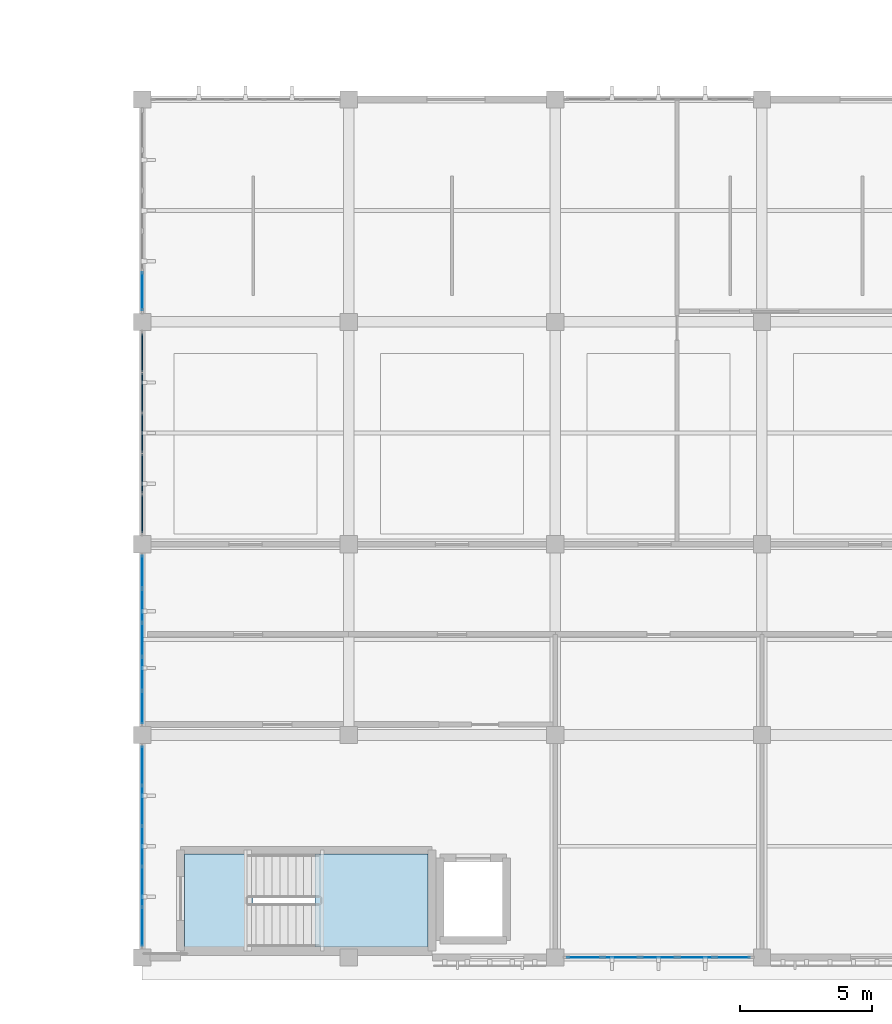
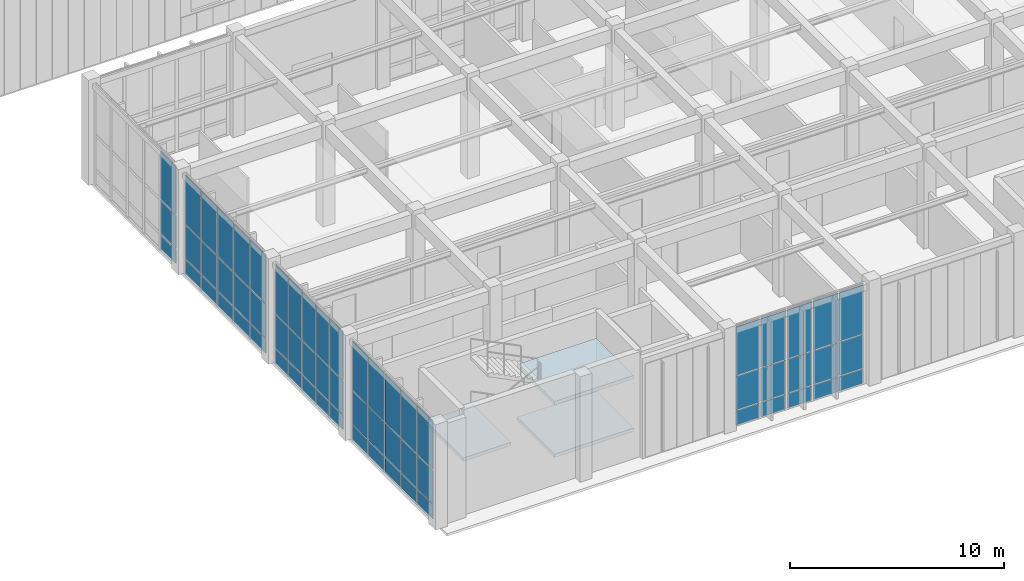
# One storey, part 54 of 105: 63 plates, 3 slabs, 6 elements without a shape of their own.
"""IFC4 building model written with IfcOpenShell, lengths in metres."""

from ifc_helpers import new_model, si_unit, direction, frame, origin, origin_2d, place, context, subcontext, project, spatial, polyline, rectangle, outline, extrude, material, layer, layer_set, type_object, element, aggregate, save


model = new_model("IFC4")

# Units and contexts
model_context = context("Model", 3, precision=1e-05, world=origin(), true_north=direction((0.0, 1.0)))
body_context = subcontext(model_context, "Body", "Model", "MODEL_VIEW")
ifc_project = project(units=[si_unit("LENGTHUNIT", "METRE"), si_unit("AREAUNIT", "SQUARE_METRE"), si_unit("VOLUMEUNIT", "CUBIC_METRE"), si_unit("PLANEANGLEUNIT", "RADIAN"), si_unit("MASSUNIT", "GRAM", prefix="KILO")], contexts=[model_context])

# Site, building, storey
site_placement = place(None, origin())
site = spatial("IfcSite", under=ifc_project, at=site_placement, CompositionType="ELEMENT")
building_placement = place(site_placement, origin())
building = spatial("IfcBuilding", under=site, at=building_placement, Name="Tizgana Railside Sports Hall", CompositionType="ELEMENT")
storey_placement = place(building_placement, frame((0.0, 0.0, 6.0)))
storey = spatial("IfcBuildingStorey", under=building, at=storey_placement, Name="L01", CompositionType="ELEMENT", Elevation=6.0)

# Curtain wall, plates
ifc_material_1 = material(Name="Anodised aluminium and glass", Category="aluminium")
curtain_wall_type_1 = type_object("IfcCurtainWallType", Name="Unitised Curtain Wall Foyer 1300", PredefinedType="NOTDEFINED", material=ifc_material_1)
curtain_wall_1_placement = place(storey_placement, origin())
curtain_wall_1 = element("IfcCurtainWall", 1, at=curtain_wall_1_placement, inside=storey, type_object=curtain_wall_type_1, Name="L01 Curtain Wall CW-0089", PredefinedType="NOTDEFINED")
ifc_material_2 = material(Name="Double low-E laminated glass", Category="glass")
ifc_layer_1 = layer(ifc_material_2, 0.033935546875, Name="Double low-E laminated glass")
ifc_layer_set_1 = layer_set([ifc_layer_1], Name="Double low-E laminated glass")
plate_type_1 = type_object("IfcPlateType", Name="Acoustic Laminated Glazing Panel 34", PredefinedType="CURTAIN_PANEL", material=ifc_layer_set_1)
plate_1_placement = place(storey_placement, frame((30.09716796875, 0.0, 0.05517578125), z_axis=(0.0, 0.0, 1.0), x_axis=(-1.0, 0.0, 0.0)))
plate_1 = element("IfcPlate", 2, at=plate_1_placement, type_object=plate_type_1, Name="CW-02 panel 1.1", PredefinedType="CURTAIN_PANEL", context=body_context, shape_type="SweptSolid", body=[
    extrude(rectangle(XDim=1.29541015625, YDim=0.033935546875, at=origin_2d()), origin(), (0.0, 0.0, 1.0), 0.8173828125),
])
plate_2_placement = place(storey_placement, frame((30.09716796875, 0.0, 0.92724609375), z_axis=(0.0, 0.0, 1.0), x_axis=(-1.0, 0.0, 0.0)))
plate_2 = element("IfcPlate", 3, at=plate_2_placement, type_object=plate_type_1, Name="CW-02 panel 1.2", PredefinedType="CURTAIN_PANEL", context=body_context, shape_type="SweptSolid", body=[
    extrude(rectangle(XDim=1.29541015625, YDim=0.033935546875, at=origin_2d()), origin(), (0.0, 0.0, 1.0), 1.905029296875),
])
plate_3_placement = place(storey_placement, frame((30.09716796875, 0.0, 2.8876953125), z_axis=(0.0, 0.0, 1.0), x_axis=(-1.0, 0.0, 0.0)))
plate_3 = element("IfcPlate", 4, at=plate_3_placement, type_object=plate_type_1, Name="CW-02 panel 1.3", PredefinedType="CURTAIN_PANEL", context=body_context, shape_type="SweptSolid", body=[
    extrude(rectangle(XDim=1.29541015625, YDim=0.033935546875, at=origin_2d()), origin(), (0.0, 0.0, 1.0), 2.777587890625),
])
plate_4_placement = place(storey_placement, frame((28.7080078125, 0.0, 0.05517578125), z_axis=(0.0, 0.0, 1.0), x_axis=(-1.0, 0.0, 0.0)))
plate_4 = element("IfcPlate", 5, at=plate_4_placement, type_object=plate_type_1, Name="CW-02 panel 2.1", PredefinedType="CURTAIN_PANEL", context=body_context, shape_type="SweptSolid", body=[
    extrude(rectangle(XDim=1.3330078125, YDim=0.033935546875, at=origin_2d()), origin(), (0.0, 0.0, 1.0), 0.8173828125),
])
plate_5_placement = place(storey_placement, frame((28.7080078125, 0.0, 0.92724609375), z_axis=(0.0, 0.0, 1.0), x_axis=(-1.0, 0.0, 0.0)))
plate_5 = element("IfcPlate", 6, at=plate_5_placement, type_object=plate_type_1, Name="CW-02 panel 2.2", PredefinedType="CURTAIN_PANEL", context=body_context, shape_type="SweptSolid", body=[
    extrude(rectangle(XDim=1.3330078125, YDim=0.033935546875, at=origin_2d()), origin(), (0.0, 0.0, 1.0), 1.905029296875),
])
plate_6_placement = place(storey_placement, frame((28.7080078125, 0.0, 2.8876953125), z_axis=(0.0, 0.0, 1.0), x_axis=(-1.0, 0.0, 0.0)))
plate_6 = element("IfcPlate", 7, at=plate_6_placement, type_object=plate_type_1, Name="CW-02 panel 2.3", PredefinedType="CURTAIN_PANEL", context=body_context, shape_type="SweptSolid", body=[
    extrude(rectangle(XDim=1.3330078125, YDim=0.033935546875, at=origin_2d()), origin(), (0.0, 0.0, 1.0), 2.777587890625),
])
plate_7_placement = place(storey_placement, frame((27.300048828125, 0.0, 0.05517578125), z_axis=(0.0, 0.0, 1.0), x_axis=(-1.0, 0.0, 0.0)))
plate_7 = element("IfcPlate", 8, at=plate_7_placement, type_object=plate_type_1, Name="CW-02 panel 3.1", PredefinedType="CURTAIN_PANEL", context=body_context, shape_type="SweptSolid", body=[
    extrude(rectangle(XDim=1.3330078125, YDim=0.033935546875, at=origin_2d()), origin(), (0.0, 0.0, 1.0), 0.8173828125),
])
plate_8_placement = place(storey_placement, frame((27.300048828125, 0.0, 0.92724609375), z_axis=(0.0, 0.0, 1.0), x_axis=(-1.0, 0.0, 0.0)))
plate_8 = element("IfcPlate", 9, at=plate_8_placement, type_object=plate_type_1, Name="CW-02 panel 3.2", PredefinedType="CURTAIN_PANEL", context=body_context, shape_type="SweptSolid", body=[
    extrude(rectangle(XDim=1.3330078125, YDim=0.033935546875, at=origin_2d()), origin(), (0.0, 0.0, 1.0), 1.905029296875),
])
plate_9_placement = place(storey_placement, frame((27.300048828125, 0.0, 2.8876953125), z_axis=(0.0, 0.0, 1.0), x_axis=(-1.0, 0.0, 0.0)))
plate_9 = element("IfcPlate", 10, at=plate_9_placement, type_object=plate_type_1, Name="CW-02 panel 3.3", PredefinedType="CURTAIN_PANEL", context=body_context, shape_type="SweptSolid", body=[
    extrude(rectangle(XDim=1.3330078125, YDim=0.033935546875, at=origin_2d()), origin(), (0.0, 0.0, 1.0), 2.777587890625),
])
plate_10_placement = place(storey_placement, frame((25.89208984375, 0.0, 0.05517578125), z_axis=(0.0, 0.0, 1.0), x_axis=(-1.0, 0.0, 0.0)))
plate_10 = element("IfcPlate", 11, at=plate_10_placement, type_object=plate_type_1, Name="CW-02 panel 4.1", PredefinedType="CURTAIN_PANEL", context=body_context, shape_type="SweptSolid", body=[
    extrude(rectangle(XDim=1.3330078125, YDim=0.033935546875, at=origin_2d()), origin(), (0.0, 0.0, 1.0), 0.8173828125),
])
plate_11_placement = place(storey_placement, frame((25.89208984375, 0.0, 0.92724609375), z_axis=(0.0, 0.0, 1.0), x_axis=(-1.0, 0.0, 0.0)))
plate_11 = element("IfcPlate", 12, at=plate_11_placement, type_object=plate_type_1, Name="CW-02 panel 4.2", PredefinedType="CURTAIN_PANEL", context=body_context, shape_type="SweptSolid", body=[
    extrude(rectangle(XDim=1.3330078125, YDim=0.033935546875, at=origin_2d()), origin(), (0.0, 0.0, 1.0), 1.905029296875),
])
plate_12_placement = place(storey_placement, frame((25.89208984375, 0.0, 2.8876953125), z_axis=(0.0, 0.0, 1.0), x_axis=(-1.0, 0.0, 0.0)))
plate_12 = element("IfcPlate", 13, at=plate_12_placement, type_object=plate_type_1, Name="CW-02 panel 4.3", PredefinedType="CURTAIN_PANEL", context=body_context, shape_type="SweptSolid", body=[
    extrude(rectangle(XDim=1.3330078125, YDim=0.033935546875, at=origin_2d()), origin(), (0.0, 0.0, 1.0), 2.777587890625),
])
plate_13_placement = place(storey_placement, frame((24.502685546875, 0.0, 0.05517578125), z_axis=(0.0, 0.0, 1.0), x_axis=(-1.0, 0.0, 0.0)))
plate_13 = element("IfcPlate", 14, at=plate_13_placement, type_object=plate_type_1, Name="CW-02 panel 5.1", PredefinedType="CURTAIN_PANEL", context=body_context, shape_type="SweptSolid", body=[
    extrude(rectangle(XDim=1.29541015625, YDim=0.033935546875, at=origin_2d()), origin(), (0.0, 0.0, 1.0), 0.8173828125),
])
plate_14_placement = place(storey_placement, frame((24.502685546875, 0.0, 0.92724609375), z_axis=(0.0, 0.0, 1.0), x_axis=(-1.0, 0.0, 0.0)))
plate_14 = element("IfcPlate", 15, at=plate_14_placement, type_object=plate_type_1, Name="CW-02 panel 5.2", PredefinedType="CURTAIN_PANEL", context=body_context, shape_type="SweptSolid", body=[
    extrude(rectangle(XDim=1.29541015625, YDim=0.033935546875, at=origin_2d()), origin(), (0.0, 0.0, 1.0), 1.905029296875),
])
plate_15_placement = place(storey_placement, frame((24.502685546875, 0.0, 2.8876953125), z_axis=(0.0, 0.0, 1.0), x_axis=(-1.0, 0.0, 0.0)))
plate_15 = element("IfcPlate", 16, at=plate_15_placement, type_object=plate_type_1, Name="CW-02 panel 5.3", PredefinedType="CURTAIN_PANEL", context=body_context, shape_type="SweptSolid", body=[
    extrude(rectangle(XDim=1.29541015625, YDim=0.033935546875, at=origin_2d()), origin(), (0.0, 0.0, 1.0), 2.777587890625),
])
aggregate(curtain_wall_1, [plate_1, plate_2, plate_3, plate_4, plate_5, plate_6, plate_7, plate_8, plate_9, plate_10, plate_11, plate_12, plate_13, plate_14, plate_15])

curtain_wall_2_placement = place(storey_placement, origin())
curtain_wall_2 = element("IfcCurtainWall", 17, at=curtain_wall_2_placement, inside=storey, type_object=curtain_wall_type_1, Name="L01 Curtain Wall CW-0097", PredefinedType="NOTDEFINED")
plate_16_placement = place(storey_placement, frame((7.800048828125, 14.56103515625, 0.06005859375), z_axis=(0.0, 0.0, 1.0), x_axis=(0.0, -1.0, 0.0)))
plate_16 = element("IfcPlate", 18, at=plate_16_placement, type_object=plate_type_1, Name="CW-02 panel 1.1", PredefinedType="CURTAIN_PANEL", context=body_context, shape_type="SweptSolid", body=[
    extrude(rectangle(XDim=1.197998046875, YDim=0.033935546875, at=origin_2d()), origin(), (0.0, 0.0, 1.0), 0.81005859375),
])
plate_17_placement = place(storey_placement, frame((7.800048828125, 14.56103515625, 0.929931640625), z_axis=(0.0, 0.0, 1.0), x_axis=(0.0, -1.0, 0.0)))
plate_17 = element("IfcPlate", 19, at=plate_17_placement, type_object=plate_type_1, Name="CW-02 panel 1.2", PredefinedType="CURTAIN_PANEL", context=body_context, shape_type="SweptSolid", body=[
    extrude(rectangle(XDim=1.197998046875, YDim=0.033935546875, at=origin_2d()), origin(), (0.0, 0.0, 1.0), 1.89990234375),
])
plate_18_placement = place(storey_placement, frame((7.800048828125, 14.56103515625, 2.889892578125), z_axis=(0.0, 0.0, 1.0), x_axis=(0.0, -1.0, 0.0)))
plate_18 = element("IfcPlate", 20, at=plate_18_placement, type_object=plate_type_1, Name="CW-02 panel 1.3", PredefinedType="CURTAIN_PANEL", context=body_context, shape_type="SweptSolid", body=[
    extrude(rectangle(XDim=1.197998046875, YDim=0.033935546875, at=origin_2d()), origin(), (0.0, 0.0, 1.0), 2.77001953125),
])
plate_19_placement = place(storey_placement, frame((7.800048828125, 13.2880859375, 0.06005859375), z_axis=(0.0, 0.0, 1.0), x_axis=(0.0, -1.0, 0.0)))
plate_19 = element("IfcPlate", 21, at=plate_19_placement, type_object=plate_type_1, Name="CW-02 panel 2.1", PredefinedType="CURTAIN_PANEL", context=body_context, shape_type="SweptSolid", body=[
    extrude(rectangle(XDim=1.22802734375, YDim=0.033935546875, at=origin_2d()), origin(), (0.0, 0.0, 1.0), 0.81005859375),
])
plate_20_placement = place(storey_placement, frame((7.800048828125, 13.2880859375, 0.929931640625), z_axis=(0.0, 0.0, 1.0), x_axis=(0.0, -1.0, 0.0)))
plate_20 = element("IfcPlate", 22, at=plate_20_placement, type_object=plate_type_1, Name="CW-02 panel 2.2", PredefinedType="CURTAIN_PANEL", context=body_context, shape_type="SweptSolid", body=[
    extrude(rectangle(XDim=1.22802734375, YDim=0.033935546875, at=origin_2d()), origin(), (0.0, 0.0, 1.0), 1.89990234375),
])
plate_21_placement = place(storey_placement, frame((7.800048828125, 13.2880859375, 2.889892578125), z_axis=(0.0, 0.0, 1.0), x_axis=(0.0, -1.0, 0.0)))
plate_21 = element("IfcPlate", 23, at=plate_21_placement, type_object=plate_type_1, Name="CW-02 panel 2.3", PredefinedType="CURTAIN_PANEL", context=body_context, shape_type="SweptSolid", body=[
    extrude(rectangle(XDim=1.22802734375, YDim=0.033935546875, at=origin_2d()), origin(), (0.0, 0.0, 1.0), 2.77001953125),
])
plate_22_placement = place(storey_placement, frame((7.800048828125, 12.0, 0.06005859375), z_axis=(0.0, 0.0, 1.0), x_axis=(0.0, -1.0, 0.0)))
plate_22 = element("IfcPlate", 24, at=plate_22_placement, type_object=plate_type_1, Name="CW-02 panel 3.1", PredefinedType="CURTAIN_PANEL", context=body_context, shape_type="SweptSolid", body=[
    extrude(rectangle(XDim=1.22802734375, YDim=0.033935546875, at=origin_2d()), origin(), (0.0, 0.0, 1.0), 0.81005859375),
])
plate_23_placement = place(storey_placement, frame((7.800048828125, 12.0, 0.929931640625), z_axis=(0.0, 0.0, 1.0), x_axis=(0.0, -1.0, 0.0)))
plate_23 = element("IfcPlate", 25, at=plate_23_placement, type_object=plate_type_1, Name="CW-02 panel 3.2", PredefinedType="CURTAIN_PANEL", context=body_context, shape_type="SweptSolid", body=[
    extrude(rectangle(XDim=1.22802734375, YDim=0.033935546875, at=origin_2d()), origin(), (0.0, 0.0, 1.0), 1.89990234375),
])
plate_24_placement = place(storey_placement, frame((7.800048828125, 12.0, 2.889892578125), z_axis=(0.0, 0.0, 1.0), x_axis=(0.0, -1.0, 0.0)))
plate_24 = element("IfcPlate", 26, at=plate_24_placement, type_object=plate_type_1, Name="CW-02 panel 3.3", PredefinedType="CURTAIN_PANEL", context=body_context, shape_type="SweptSolid", body=[
    extrude(rectangle(XDim=1.22802734375, YDim=0.033935546875, at=origin_2d()), origin(), (0.0, 0.0, 1.0), 2.77001953125),
])
plate_25_placement = place(storey_placement, frame((7.800048828125, 10.7119140625, 0.06005859375), z_axis=(0.0, 0.0, 1.0), x_axis=(0.0, -1.0, 0.0)))
plate_25 = element("IfcPlate", 27, at=plate_25_placement, type_object=plate_type_1, Name="CW-02 panel 4.1", PredefinedType="CURTAIN_PANEL", context=body_context, shape_type="SweptSolid", body=[
    extrude(rectangle(XDim=1.22802734375, YDim=0.033935546875, at=origin_2d()), origin(), (0.0, 0.0, 1.0), 0.81005859375),
])
plate_26_placement = place(storey_placement, frame((7.800048828125, 10.7119140625, 0.929931640625), z_axis=(0.0, 0.0, 1.0), x_axis=(0.0, -1.0, 0.0)))
plate_26 = element("IfcPlate", 28, at=plate_26_placement, type_object=plate_type_1, Name="CW-02 panel 4.2", PredefinedType="CURTAIN_PANEL", context=body_context, shape_type="SweptSolid", body=[
    extrude(rectangle(XDim=1.22802734375, YDim=0.033935546875, at=origin_2d()), origin(), (0.0, 0.0, 1.0), 1.89990234375),
])
plate_27_placement = place(storey_placement, frame((7.800048828125, 10.7119140625, 2.889892578125), z_axis=(0.0, 0.0, 1.0), x_axis=(0.0, -1.0, 0.0)))
plate_27 = element("IfcPlate", 29, at=plate_27_placement, type_object=plate_type_1, Name="CW-02 panel 4.3", PredefinedType="CURTAIN_PANEL", context=body_context, shape_type="SweptSolid", body=[
    extrude(rectangle(XDim=1.22802734375, YDim=0.033935546875, at=origin_2d()), origin(), (0.0, 0.0, 1.0), 2.77001953125),
])
plate_28_placement = place(storey_placement, frame((7.800048828125, 9.43896484375, 0.06005859375), z_axis=(0.0, 0.0, 1.0), x_axis=(0.0, -1.0, 0.0)))
plate_28 = element("IfcPlate", 30, at=plate_28_placement, type_object=plate_type_1, Name="CW-02 panel 5.1", PredefinedType="CURTAIN_PANEL", context=body_context, shape_type="SweptSolid", body=[
    extrude(rectangle(XDim=1.197998046875, YDim=0.033935546875, at=origin_2d()), origin(), (0.0, 0.0, 1.0), 0.81005859375),
])
plate_29_placement = place(storey_placement, frame((7.800048828125, 9.43896484375, 0.929931640625), z_axis=(0.0, 0.0, 1.0), x_axis=(0.0, -1.0, 0.0)))
plate_29 = element("IfcPlate", 31, at=plate_29_placement, type_object=plate_type_1, Name="CW-02 panel 5.2", PredefinedType="CURTAIN_PANEL", context=body_context, shape_type="SweptSolid", body=[
    extrude(rectangle(XDim=1.197998046875, YDim=0.033935546875, at=origin_2d()), origin(), (0.0, 0.0, 1.0), 1.89990234375),
])
plate_30_placement = place(storey_placement, frame((7.800048828125, 9.43896484375, 2.889892578125), z_axis=(0.0, 0.0, 1.0), x_axis=(0.0, -1.0, 0.0)))
plate_30 = element("IfcPlate", 32, at=plate_30_placement, type_object=plate_type_1, Name="CW-02 panel 5.3", PredefinedType="CURTAIN_PANEL", context=body_context, shape_type="SweptSolid", body=[
    extrude(rectangle(XDim=1.197998046875, YDim=0.033935546875, at=origin_2d()), origin(), (0.0, 0.0, 1.0), 2.77001953125),
])
aggregate(curtain_wall_2, [plate_16, plate_17, plate_18, plate_19, plate_20, plate_21, plate_22, plate_23, plate_24, plate_25, plate_26, plate_27, plate_28, plate_29, plate_30])

# Stair, slabs
ifc_material_3 = material(Name="Concrete C35/45", Category="concrete")
stair_type = type_object("IfcStairType", Name="Core Protected Stair 1500", PredefinedType="HALF_TURN_STAIR", material=ifc_material_3)
stair_placement = place(storey_placement, origin())
stair = element("IfcStair", 33, at=stair_placement, inside=storey, type_object=stair_type, Name="L01 Core Stair ST-01", PredefinedType="HALF_TURN_STAIR")
ifc_layer_2 = layer(ifc_material_3, 0.199951171875, Name="Concrete C35/45")
ifc_layer_set_2 = layer_set([ifc_layer_2], Name="Concrete C35/45")
slab_type = type_object("IfcSlabType", Name="Core Stair Landing Slab 200", PredefinedType="LANDING", material=ifc_layer_set_2)
slab_1_placement = place(storey_placement, frame((0.0, 0.0, 1.300048828125)))
slab_1 = element("IfcSlab", 34, at=slab_1_placement, type_object=slab_type, Name="ST-01 landing 1", PredefinedType="LANDING", context=body_context, shape_type="SweptSolid", body=[
    extrude(outline(polyline([(14.320068359375, 0.39990234375), (18.60009765625, 0.39990234375), (18.60009765625, 3.89990234375), (14.320068359375, 3.89990234375), (14.320068359375, 0.39990234375)])), origin(), (0.0, 0.0, 1.0), 0.199951171875),
])
slab_2_placement = place(storey_placement, frame((0.0, 0.0, 2.800048828125)))
slab_2 = element("IfcSlab", 35, at=slab_2_placement, type_object=slab_type, Name="ST-01 landing 2", PredefinedType="LANDING", context=body_context, shape_type="SweptSolid", body=[
    extrude(outline(polyline([(9.39990234375, 0.39990234375), (11.97998046875, 0.39990234375), (11.97998046875, 3.89990234375), (9.39990234375, 3.89990234375), (9.39990234375, 0.39990234375)])), origin(), (0.0, 0.0, 1.0), 0.199951171875),
])
slab_3_placement = place(storey_placement, frame((0.0, 0.0, 4.300048828125)))
slab_3 = element("IfcSlab", 36, at=slab_3_placement, type_object=slab_type, Name="ST-01 landing 3", PredefinedType="LANDING", context=body_context, shape_type="SweptSolid", body=[
    extrude(outline(polyline([(14.320068359375, 0.39990234375), (18.60009765625, 0.39990234375), (18.60009765625, 3.89990234375), (14.320068359375, 3.89990234375), (14.320068359375, 0.39990234375)])), origin(), (0.0, 0.0, 1.0), 0.199951171875),
])
aggregate(stair, [slab_1, slab_2, slab_3])

# Curtain wall, plates
curtain_wall_type_2 = type_object("IfcCurtainWallType", Name="Unitised Curtain Wall Studio 1400", PredefinedType="NOTDEFINED", material=ifc_material_1)
curtain_wall_3_placement = place(storey_placement, origin())
curtain_wall_3 = element("IfcCurtainWall", 37, at=curtain_wall_3_placement, inside=storey, type_object=curtain_wall_type_2, Name="L01 Curtain Wall CW-0098", PredefinedType="NOTDEFINED")
ifc_layer_3 = layer(ifc_material_2, 0.0400390625, Name="Double low-E laminated glass")
ifc_layer_set_3 = layer_set([ifc_layer_3], Name="Double low-E laminated glass")
plate_type_2 = type_object("IfcPlateType", Name="High-Span Tempered Glazing Panel 40", PredefinedType="CURTAIN_PANEL", material=ifc_layer_set_3)
plate_31_placement = place(storey_placement, frame((7.800048828125, 22.841064453125, 0.06005859375), z_axis=(0.0, 0.0, 1.0), x_axis=(0.0, -1.0, 0.0)))
plate_31 = element("IfcPlate", 38, at=plate_31_placement, type_object=plate_type_2, Name="CW-03 panel 1.1", PredefinedType="CURTAIN_PANEL", context=body_context, shape_type="SweptSolid", body=[
    extrude(rectangle(XDim=1.43798828125, YDim=0.0400390625, at=origin_2d()), origin(), (0.0, 0.0, 1.0), 0.81005859375),
])
plate_32_placement = place(storey_placement, frame((7.800048828125, 22.841064453125, 0.929931640625), z_axis=(0.0, 0.0, 1.0), x_axis=(0.0, -1.0, 0.0)))
plate_32 = element("IfcPlate", 39, at=plate_32_placement, type_object=plate_type_2, Name="CW-03 panel 1.2", PredefinedType="CURTAIN_PANEL", context=body_context, shape_type="SweptSolid", body=[
    extrude(rectangle(XDim=1.43798828125, YDim=0.0400390625, at=origin_2d()), origin(), (0.0, 0.0, 1.0), 1.89990234375),
])
plate_33_placement = place(storey_placement, frame((7.800048828125, 22.841064453125, 2.889892578125), z_axis=(0.0, 0.0, 1.0), x_axis=(0.0, -1.0, 0.0)))
plate_33 = element("IfcPlate", 40, at=plate_33_placement, type_object=plate_type_2, Name="CW-03 panel 1.3", PredefinedType="CURTAIN_PANEL", context=body_context, shape_type="SweptSolid", body=[
    extrude(rectangle(XDim=1.43798828125, YDim=0.0400390625, at=origin_2d()), origin(), (0.0, 0.0, 1.0), 2.77001953125),
])
plate_34_placement = place(storey_placement, frame((7.800048828125, 21.327880859375, 0.06005859375), z_axis=(0.0, 0.0, 1.0), x_axis=(0.0, -1.0, 0.0)))
plate_34 = element("IfcPlate", 41, at=plate_34_placement, type_object=plate_type_2, Name="CW-03 panel 2.1", PredefinedType="CURTAIN_PANEL", context=body_context, shape_type="SweptSolid", body=[
    extrude(rectangle(XDim=1.468017578125, YDim=0.0400390625, at=origin_2d()), origin(), (0.0, 0.0, 1.0), 0.81005859375),
])
plate_35_placement = place(storey_placement, frame((7.800048828125, 21.327880859375, 0.929931640625), z_axis=(0.0, 0.0, 1.0), x_axis=(0.0, -1.0, 0.0)))
plate_35 = element("IfcPlate", 42, at=plate_35_placement, type_object=plate_type_2, Name="CW-03 panel 2.2", PredefinedType="CURTAIN_PANEL", context=body_context, shape_type="SweptSolid", body=[
    extrude(rectangle(XDim=1.468017578125, YDim=0.0400390625, at=origin_2d()), origin(), (0.0, 0.0, 1.0), 1.89990234375),
])
plate_36_placement = place(storey_placement, frame((7.800048828125, 21.327880859375, 2.889892578125), z_axis=(0.0, 0.0, 1.0), x_axis=(0.0, -1.0, 0.0)))
plate_36 = element("IfcPlate", 43, at=plate_36_placement, type_object=plate_type_2, Name="CW-03 panel 2.3", PredefinedType="CURTAIN_PANEL", context=body_context, shape_type="SweptSolid", body=[
    extrude(rectangle(XDim=1.468017578125, YDim=0.0400390625, at=origin_2d()), origin(), (0.0, 0.0, 1.0), 2.77001953125),
])
plate_37_placement = place(storey_placement, frame((7.800048828125, 19.800048828125, 0.06005859375), z_axis=(0.0, 0.0, 1.0), x_axis=(0.0, -1.0, 0.0)))
plate_37 = element("IfcPlate", 44, at=plate_37_placement, type_object=plate_type_2, Name="CW-03 panel 3.1", PredefinedType="CURTAIN_PANEL", context=body_context, shape_type="SweptSolid", body=[
    extrude(rectangle(XDim=1.468017578125, YDim=0.0400390625, at=origin_2d()), origin(), (0.0, 0.0, 1.0), 0.81005859375),
])
plate_38_placement = place(storey_placement, frame((7.800048828125, 19.800048828125, 0.929931640625), z_axis=(0.0, 0.0, 1.0), x_axis=(0.0, -1.0, 0.0)))
plate_38 = element("IfcPlate", 45, at=plate_38_placement, type_object=plate_type_2, Name="CW-03 panel 3.2", PredefinedType="CURTAIN_PANEL", context=body_context, shape_type="SweptSolid", body=[
    extrude(rectangle(XDim=1.468017578125, YDim=0.0400390625, at=origin_2d()), origin(), (0.0, 0.0, 1.0), 1.89990234375),
])
plate_39_placement = place(storey_placement, frame((7.800048828125, 19.800048828125, 2.889892578125), z_axis=(0.0, 0.0, 1.0), x_axis=(0.0, -1.0, 0.0)))
plate_39 = element("IfcPlate", 46, at=plate_39_placement, type_object=plate_type_2, Name="CW-03 panel 3.3", PredefinedType="CURTAIN_PANEL", context=body_context, shape_type="SweptSolid", body=[
    extrude(rectangle(XDim=1.468017578125, YDim=0.0400390625, at=origin_2d()), origin(), (0.0, 0.0, 1.0), 2.77001953125),
])
plate_40_placement = place(storey_placement, frame((7.800048828125, 18.27197265625, 0.06005859375), z_axis=(0.0, 0.0, 1.0), x_axis=(0.0, -1.0, 0.0)))
plate_40 = element("IfcPlate", 47, at=plate_40_placement, type_object=plate_type_2, Name="CW-03 panel 4.1", PredefinedType="CURTAIN_PANEL", context=body_context, shape_type="SweptSolid", body=[
    extrude(rectangle(XDim=1.468017578125, YDim=0.0400390625, at=origin_2d()), origin(), (0.0, 0.0, 1.0), 0.81005859375),
])
plate_41_placement = place(storey_placement, frame((7.800048828125, 18.27197265625, 0.929931640625), z_axis=(0.0, 0.0, 1.0), x_axis=(0.0, -1.0, 0.0)))
plate_41 = element("IfcPlate", 48, at=plate_41_placement, type_object=plate_type_2, Name="CW-03 panel 4.2", PredefinedType="CURTAIN_PANEL", context=body_context, shape_type="SweptSolid", body=[
    extrude(rectangle(XDim=1.468017578125, YDim=0.0400390625, at=origin_2d()), origin(), (0.0, 0.0, 1.0), 1.89990234375),
])
plate_42_placement = place(storey_placement, frame((7.800048828125, 18.27197265625, 2.889892578125), z_axis=(0.0, 0.0, 1.0), x_axis=(0.0, -1.0, 0.0)))
plate_42 = element("IfcPlate", 49, at=plate_42_placement, type_object=plate_type_2, Name="CW-03 panel 4.3", PredefinedType="CURTAIN_PANEL", context=body_context, shape_type="SweptSolid", body=[
    extrude(rectangle(XDim=1.468017578125, YDim=0.0400390625, at=origin_2d()), origin(), (0.0, 0.0, 1.0), 2.77001953125),
])
plate_43_placement = place(storey_placement, frame((7.800048828125, 16.759033203125, 0.06005859375), z_axis=(0.0, 0.0, 1.0), x_axis=(0.0, -1.0, 0.0)))
plate_43 = element("IfcPlate", 50, at=plate_43_placement, type_object=plate_type_2, Name="CW-03 panel 5.1", PredefinedType="CURTAIN_PANEL", context=body_context, shape_type="SweptSolid", body=[
    extrude(rectangle(XDim=1.43798828125, YDim=0.0400390625, at=origin_2d()), origin(), (0.0, 0.0, 1.0), 0.81005859375),
])
plate_44_placement = place(storey_placement, frame((7.800048828125, 16.759033203125, 0.929931640625), z_axis=(0.0, 0.0, 1.0), x_axis=(0.0, -1.0, 0.0)))
plate_44 = element("IfcPlate", 51, at=plate_44_placement, type_object=plate_type_2, Name="CW-03 panel 5.2", PredefinedType="CURTAIN_PANEL", context=body_context, shape_type="SweptSolid", body=[
    extrude(rectangle(XDim=1.43798828125, YDim=0.0400390625, at=origin_2d()), origin(), (0.0, 0.0, 1.0), 1.89990234375),
])
plate_45_placement = place(storey_placement, frame((7.800048828125, 16.759033203125, 2.889892578125), z_axis=(0.0, 0.0, 1.0), x_axis=(0.0, -1.0, 0.0)))
plate_45 = element("IfcPlate", 52, at=plate_45_placement, type_object=plate_type_2, Name="CW-03 panel 5.3", PredefinedType="CURTAIN_PANEL", context=body_context, shape_type="SweptSolid", body=[
    extrude(rectangle(XDim=1.43798828125, YDim=0.0400390625, at=origin_2d()), origin(), (0.0, 0.0, 1.0), 2.77001953125),
])
aggregate(curtain_wall_3, [plate_31, plate_32, plate_33, plate_34, plate_35, plate_36, plate_37, plate_38, plate_39, plate_40, plate_41, plate_42, plate_43, plate_44, plate_45])

curtain_wall_type_3 = type_object("IfcCurtainWallType", Name="Unitised Curtain Wall Climbing 1600", PredefinedType="NOTDEFINED", material=ifc_material_1)
curtain_wall_4_placement = place(storey_placement, origin())
curtain_wall_4 = element("IfcCurtainWall", 53, at=curtain_wall_4_placement, inside=storey, type_object=curtain_wall_type_3, Name="L01 Curtain Wall CW-0099", PredefinedType="NOTDEFINED")
ifc_layer_4 = layer(ifc_material_2, 0.031982421875, Name="Double low-E laminated glass")
ifc_layer_set_4 = layer_set([ifc_layer_4], Name="Double low-E laminated glass")
plate_type_3 = type_object("IfcPlateType", Name="North-Light Clerestory Glazing Panel 32", PredefinedType="CURTAIN_PANEL", material=ifc_layer_set_4)
plate_46_placement = place(storey_placement, frame((7.800048828125, 25.16015625, 0.06494140625), z_axis=(0.0, 0.0, 1.0), x_axis=(0.0, -1.0, 0.0)))
plate_46 = element("IfcPlate", 54, at=plate_46_placement, type_object=plate_type_3, Name="CW-04 panel 5.1", PredefinedType="CURTAIN_PANEL", context=body_context, shape_type="SweptSolid", body=[
    extrude(rectangle(XDim=1.430419921875, YDim=0.031982421875, at=origin_2d()), origin(), (0.0, 0.0, 1.0), 0.802490234375),
])
plate_47_placement = place(storey_placement, frame((7.800048828125, 25.16015625, 0.932373046875), z_axis=(0.0, 0.0, 1.0), x_axis=(0.0, -1.0, 0.0)))
plate_47 = element("IfcPlate", 55, at=plate_47_placement, type_object=plate_type_3, Name="CW-04 panel 5.2", PredefinedType="CURTAIN_PANEL", context=body_context, shape_type="SweptSolid", body=[
    extrude(rectangle(XDim=1.430419921875, YDim=0.031982421875, at=origin_2d()), origin(), (0.0, 0.0, 1.0), 1.89501953125),
])
plate_48_placement = place(storey_placement, frame((7.800048828125, 25.16015625, 2.892578125), z_axis=(0.0, 0.0, 1.0), x_axis=(0.0, -1.0, 0.0)))
plate_48 = element("IfcPlate", 56, at=plate_48_placement, type_object=plate_type_3, Name="CW-04 panel 5.3", PredefinedType="CURTAIN_PANEL", context=body_context, shape_type="SweptSolid", body=[
    extrude(rectangle(XDim=1.430419921875, YDim=0.031982421875, at=origin_2d()), origin(), (0.0, 0.0, 1.0), 2.762451171875),
])
aggregate(curtain_wall_4, [plate_46, plate_47, plate_48])

curtain_wall_type_4 = type_object("IfcCurtainWallType", Name="Unitised Curtain Wall Concourse 1500", PredefinedType="NOTDEFINED", material=ifc_material_1)
curtain_wall_5_placement = place(storey_placement, origin())
curtain_wall_5 = element("IfcCurtainWall", 57, at=curtain_wall_5_placement, inside=storey, type_object=curtain_wall_type_4, Name="L01 Curtain Wall CW-0096", PredefinedType="NOTDEFINED")
ifc_layer_5 = layer(ifc_material_2, 0.028076171875, Name="Double low-E laminated glass")
ifc_layer_set_5 = layer_set([ifc_layer_5], Name="Double low-E laminated glass")
plate_type_4 = type_object("IfcPlateType", Name="Solar Low-E Glazing Panel 28", PredefinedType="CURTAIN_PANEL", material=ifc_layer_set_5)
plate_49_placement = place(storey_placement, frame((7.800048828125, 7.240966796875, 0.06005859375), z_axis=(0.0, 0.0, 1.0), x_axis=(0.0, -1.0, 0.0)))
plate_49 = element("IfcPlate", 58, at=plate_49_placement, type_object=plate_type_4, Name="CW-01 panel 1.1", PredefinedType="CURTAIN_PANEL", context=body_context, shape_type="SweptSolid", body=[
    extrude(rectangle(XDim=1.43798828125, YDim=0.028076171875, at=origin_2d()), origin(), (0.0, 0.0, 1.0), 0.81005859375),
])
plate_50_placement = place(storey_placement, frame((7.800048828125, 7.240966796875, 0.929931640625), z_axis=(0.0, 0.0, 1.0), x_axis=(0.0, -1.0, 0.0)))
plate_50 = element("IfcPlate", 59, at=plate_50_placement, type_object=plate_type_4, Name="CW-01 panel 1.2", PredefinedType="CURTAIN_PANEL", context=body_context, shape_type="SweptSolid", body=[
    extrude(rectangle(XDim=1.43798828125, YDim=0.028076171875, at=origin_2d()), origin(), (0.0, 0.0, 1.0), 1.89990234375),
])
plate_51_placement = place(storey_placement, frame((7.800048828125, 7.240966796875, 2.889892578125), z_axis=(0.0, 0.0, 1.0), x_axis=(0.0, -1.0, 0.0)))
plate_51 = element("IfcPlate", 60, at=plate_51_placement, type_object=plate_type_4, Name="CW-01 panel 1.3", PredefinedType="CURTAIN_PANEL", context=body_context, shape_type="SweptSolid", body=[
    extrude(rectangle(XDim=1.43798828125, YDim=0.028076171875, at=origin_2d()), origin(), (0.0, 0.0, 1.0), 2.77001953125),
])
plate_52_placement = place(storey_placement, frame((7.800048828125, 5.72802734375, 0.06005859375), z_axis=(0.0, 0.0, 1.0), x_axis=(0.0, -1.0, 0.0)))
plate_52 = element("IfcPlate", 61, at=plate_52_placement, type_object=plate_type_4, Name="CW-01 panel 2.1", PredefinedType="CURTAIN_PANEL", context=body_context, shape_type="SweptSolid", body=[
    extrude(rectangle(XDim=1.468017578125, YDim=0.028076171875, at=origin_2d()), origin(), (0.0, 0.0, 1.0), 0.81005859375),
])
plate_53_placement = place(storey_placement, frame((7.800048828125, 5.72802734375, 0.929931640625), z_axis=(0.0, 0.0, 1.0), x_axis=(0.0, -1.0, 0.0)))
plate_53 = element("IfcPlate", 62, at=plate_53_placement, type_object=plate_type_4, Name="CW-01 panel 2.2", PredefinedType="CURTAIN_PANEL", context=body_context, shape_type="SweptSolid", body=[
    extrude(rectangle(XDim=1.468017578125, YDim=0.028076171875, at=origin_2d()), origin(), (0.0, 0.0, 1.0), 1.89990234375),
])
plate_54_placement = place(storey_placement, frame((7.800048828125, 5.72802734375, 2.889892578125), z_axis=(0.0, 0.0, 1.0), x_axis=(0.0, -1.0, 0.0)))
plate_54 = element("IfcPlate", 63, at=plate_54_placement, type_object=plate_type_4, Name="CW-01 panel 2.3", PredefinedType="CURTAIN_PANEL", context=body_context, shape_type="SweptSolid", body=[
    extrude(rectangle(XDim=1.468017578125, YDim=0.028076171875, at=origin_2d()), origin(), (0.0, 0.0, 1.0), 2.77001953125),
])
plate_55_placement = place(storey_placement, frame((7.800048828125, 4.199951171875, 0.06005859375), z_axis=(0.0, 0.0, 1.0), x_axis=(0.0, -1.0, 0.0)))
plate_55 = element("IfcPlate", 64, at=plate_55_placement, type_object=plate_type_4, Name="CW-01 panel 3.1", PredefinedType="CURTAIN_PANEL", context=body_context, shape_type="SweptSolid", body=[
    extrude(rectangle(XDim=1.468017578125, YDim=0.028076171875, at=origin_2d()), origin(), (0.0, 0.0, 1.0), 0.81005859375),
])
plate_56_placement = place(storey_placement, frame((7.800048828125, 4.199951171875, 0.929931640625), z_axis=(0.0, 0.0, 1.0), x_axis=(0.0, -1.0, 0.0)))
plate_56 = element("IfcPlate", 65, at=plate_56_placement, type_object=plate_type_4, Name="CW-01 panel 3.2", PredefinedType="CURTAIN_PANEL", context=body_context, shape_type="SweptSolid", body=[
    extrude(rectangle(XDim=1.468017578125, YDim=0.028076171875, at=origin_2d()), origin(), (0.0, 0.0, 1.0), 1.89990234375),
])
plate_57_placement = place(storey_placement, frame((7.800048828125, 4.199951171875, 2.889892578125), z_axis=(0.0, 0.0, 1.0), x_axis=(0.0, -1.0, 0.0)))
plate_57 = element("IfcPlate", 66, at=plate_57_placement, type_object=plate_type_4, Name="CW-01 panel 3.3", PredefinedType="CURTAIN_PANEL", context=body_context, shape_type="SweptSolid", body=[
    extrude(rectangle(XDim=1.468017578125, YDim=0.028076171875, at=origin_2d()), origin(), (0.0, 0.0, 1.0), 2.77001953125),
])
plate_58_placement = place(storey_placement, frame((7.800048828125, 2.672119140625, 0.06005859375), z_axis=(0.0, 0.0, 1.0), x_axis=(0.0, -1.0, 0.0)))
plate_58 = element("IfcPlate", 67, at=plate_58_placement, type_object=plate_type_4, Name="CW-01 panel 4.1", PredefinedType="CURTAIN_PANEL", context=body_context, shape_type="SweptSolid", body=[
    extrude(rectangle(XDim=1.468017578125, YDim=0.028076171875, at=origin_2d()), origin(), (0.0, 0.0, 1.0), 0.81005859375),
])
plate_59_placement = place(storey_placement, frame((7.800048828125, 2.672119140625, 0.929931640625), z_axis=(0.0, 0.0, 1.0), x_axis=(0.0, -1.0, 0.0)))
plate_59 = element("IfcPlate", 68, at=plate_59_placement, type_object=plate_type_4, Name="CW-01 panel 4.2", PredefinedType="CURTAIN_PANEL", context=body_context, shape_type="SweptSolid", body=[
    extrude(rectangle(XDim=1.468017578125, YDim=0.028076171875, at=origin_2d()), origin(), (0.0, 0.0, 1.0), 1.89990234375),
])
plate_60_placement = place(storey_placement, frame((7.800048828125, 2.672119140625, 2.889892578125), z_axis=(0.0, 0.0, 1.0), x_axis=(0.0, -1.0, 0.0)))
plate_60 = element("IfcPlate", 69, at=plate_60_placement, type_object=plate_type_4, Name="CW-01 panel 4.3", PredefinedType="CURTAIN_PANEL", context=body_context, shape_type="SweptSolid", body=[
    extrude(rectangle(XDim=1.468017578125, YDim=0.028076171875, at=origin_2d()), origin(), (0.0, 0.0, 1.0), 2.77001953125),
])
plate_61_placement = place(storey_placement, frame((7.800048828125, 1.158935546875, 0.06005859375), z_axis=(0.0, 0.0, 1.0), x_axis=(0.0, -1.0, 0.0)))
plate_61 = element("IfcPlate", 70, at=plate_61_placement, type_object=plate_type_4, Name="CW-01 panel 5.1", PredefinedType="CURTAIN_PANEL", context=body_context, shape_type="SweptSolid", body=[
    extrude(rectangle(XDim=1.43798828125, YDim=0.028076171875, at=origin_2d()), origin(), (0.0, 0.0, 1.0), 0.81005859375),
])
plate_62_placement = place(storey_placement, frame((7.800048828125, 1.158935546875, 0.929931640625), z_axis=(0.0, 0.0, 1.0), x_axis=(0.0, -1.0, 0.0)))
plate_62 = element("IfcPlate", 71, at=plate_62_placement, type_object=plate_type_4, Name="CW-01 panel 5.2", PredefinedType="CURTAIN_PANEL", context=body_context, shape_type="SweptSolid", body=[
    extrude(rectangle(XDim=1.43798828125, YDim=0.028076171875, at=origin_2d()), origin(), (0.0, 0.0, 1.0), 1.89990234375),
])
plate_63_placement = place(storey_placement, frame((7.800048828125, 1.158935546875, 2.889892578125), z_axis=(0.0, 0.0, 1.0), x_axis=(0.0, -1.0, 0.0)))
plate_63 = element("IfcPlate", 72, at=plate_63_placement, type_object=plate_type_4, Name="CW-01 panel 5.3", PredefinedType="CURTAIN_PANEL", context=body_context, shape_type="SweptSolid", body=[
    extrude(rectangle(XDim=1.43798828125, YDim=0.028076171875, at=origin_2d()), origin(), (0.0, 0.0, 1.0), 2.77001953125),
])
aggregate(curtain_wall_5, [plate_49, plate_50, plate_51, plate_52, plate_53, plate_54, plate_55, plate_56, plate_57, plate_58, plate_59, plate_60, plate_61, plate_62, plate_63])

save(model, "model.ifc")
